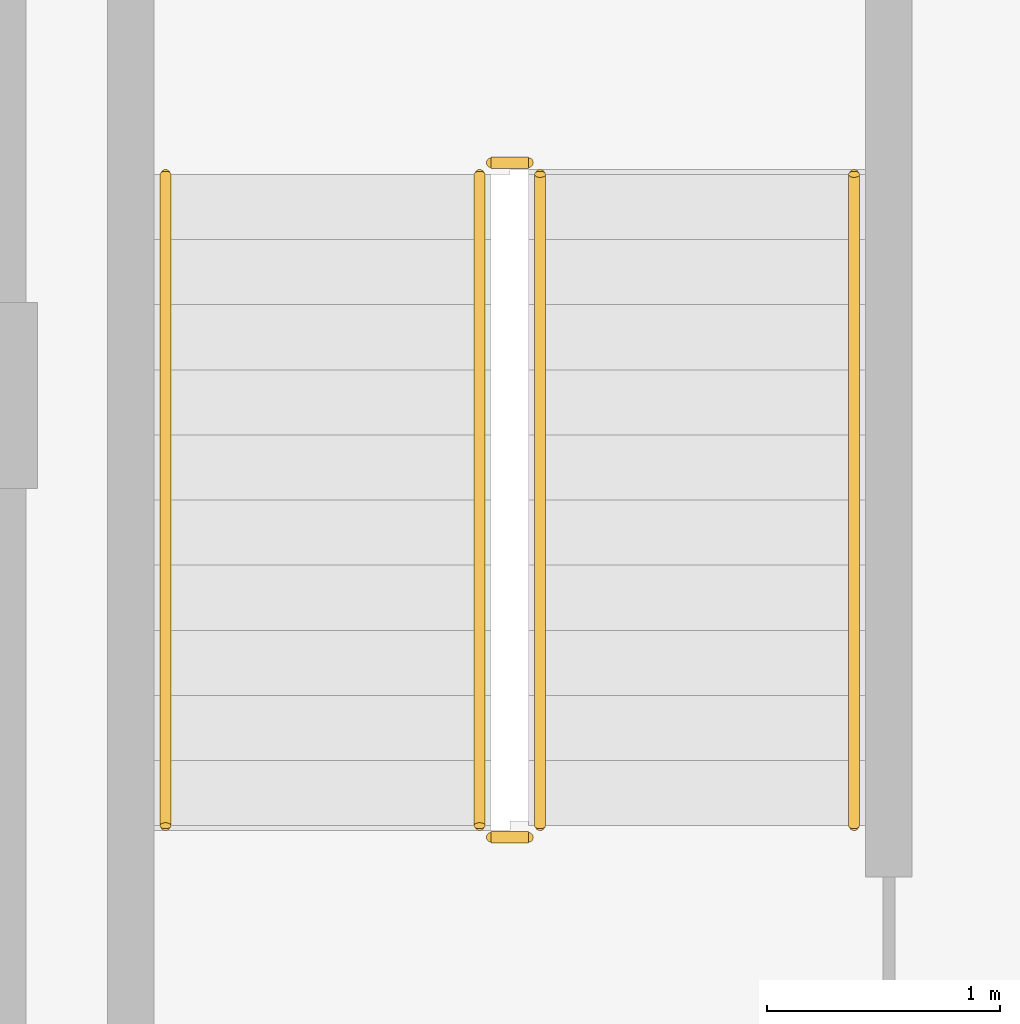
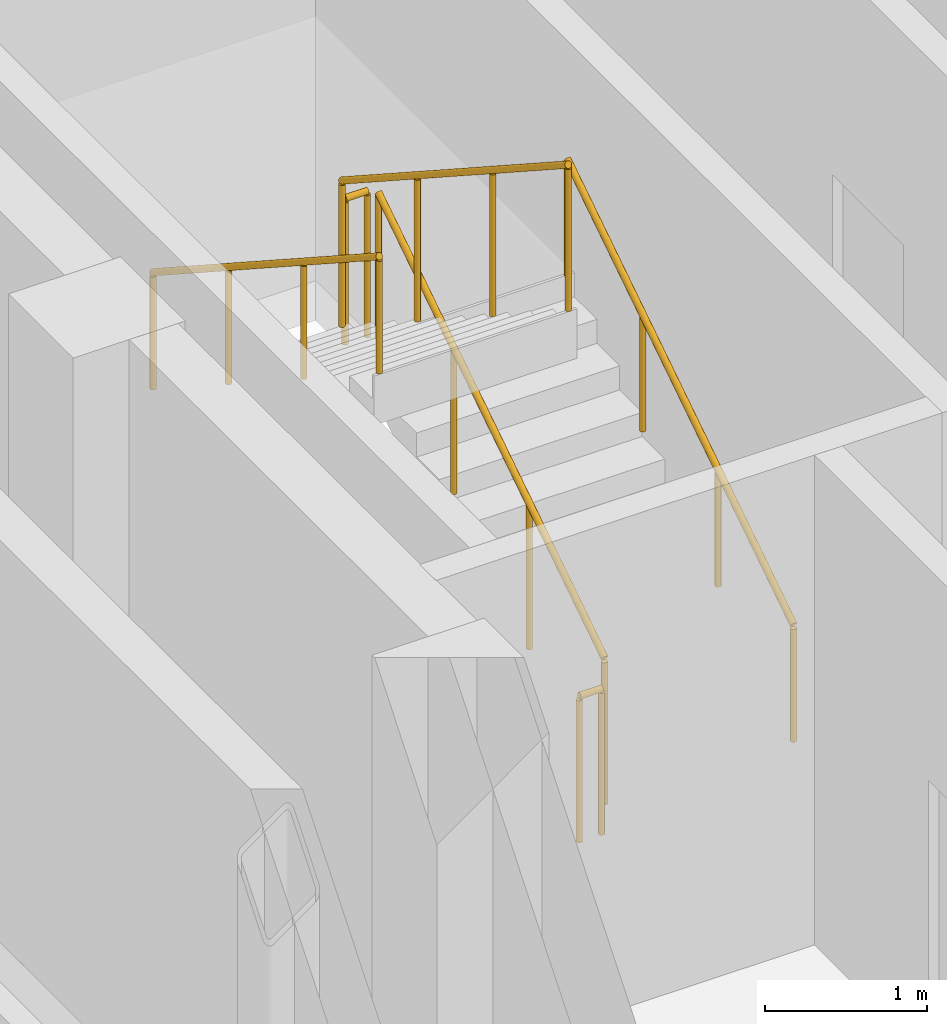
# One storey, part 8 of 10: 6 railings.
"""IFC4 building model written with IfcOpenShell, lengths in metres."""

from ifc_helpers import new_model, si_unit, direction, frame, origin, origin_2d, place, context, subcontext, project, spatial, circle, extrude, material, type_object, element, save


model = new_model("IFC4")

# Units and contexts
model_context = context("Model", 3, precision=1e-05, world=origin(), true_north=direction((0.0, 1.0)))
body_context = subcontext(model_context, "Body", "Model", "MODEL_VIEW")
ifc_project = project(units=[si_unit("LENGTHUNIT", "METRE"), si_unit("AREAUNIT", "SQUARE_METRE"), si_unit("VOLUMEUNIT", "CUBIC_METRE"), si_unit("PLANEANGLEUNIT", "RADIAN"), si_unit("MASSUNIT", "GRAM", prefix="KILO")], contexts=[model_context])

# Site, building, storey
site_placement = place(None, origin())
site = spatial("IfcSite", under=ifc_project, at=site_placement, CompositionType="ELEMENT")
building_placement = place(site_placement, origin())
building = spatial("IfcBuilding", under=site, at=building_placement, Name="Nuvemarco Arch Tower", CompositionType="ELEMENT")
storey_placement = place(building_placement, frame((0.0, 0.0, 291.14990234375)))
storey = spatial("IfcBuildingStorey", under=building, at=storey_placement, Name="L77", CompositionType="ELEMENT", Elevation=291.14990234375)

# Railings
ifc_material_1 = material(Name="Brushed stainless steel handrail", Category="steel")
railing_type_1 = type_object("IfcRailingType", Name="RL-HANDRAIL-900", PredefinedType="HANDRAIL", material=ifc_material_1)
railing_1_placement = place(storey_placement, frame((-13.590087890625, 2.64990234375, 0.181884765625)))
element("IfcRailing", 1, at=railing_1_placement, inside=storey, type_object=railing_type_1, Name="L77 ST-1 stair handrail 1", PredefinedType="HANDRAIL", context=body_context, shape_type="SweptSolid", body=[
    extrude(circle(Radius=0.02392578125, at=origin_2d()), frame((0.0, 0.0, 0.8759765625), z_axis=(0.0, 0.838705829183, 0.544584733623), x_axis=(-1.0, 0.0, 0.0)), (0.0, 0.0, 1.0), 3.338623046875),
    extrude(circle(Radius=0.02099609375, at=origin_2d()), origin(), (0.0, 0.0, 1.0), 0.851806640625),
    extrude(circle(Radius=0.02099609375, at=origin_2d()), frame((0.0, 0.933349609375, 0.60595703125)), (0.0, 0.0, 1.0), 0.851806640625),
    extrude(circle(Radius=0.02099609375, at=origin_2d()), frame((0.0, 1.86669921875, 1.212158203125)), (0.0, 0.0, 1.0), 0.851806640625),
    extrude(circle(Radius=0.02099609375, at=origin_2d()), frame((0.0, 2.800048828125, 1.818115234375)), (0.0, 0.0, 1.0), 0.851806640625),
])
railing_2_placement = place(storey_placement, frame((-16.550048828125, 5.449951171875, 2.181884765625)))
element("IfcRailing", 2, at=railing_2_placement, inside=storey, type_object=railing_type_1, Name="L77 ST-1 stair handrail 2", PredefinedType="HANDRAIL", context=body_context, shape_type="SweptSolid", body=[
    extrude(circle(Radius=0.02392578125, at=origin_2d()), frame((0.0, 0.0, 0.8759765625), z_axis=(0.0, -0.838705829183, 0.544584733623), x_axis=(1.0, 0.0, 0.0)), (0.0, 0.0, 1.0), 3.338623046875),
    extrude(circle(Radius=0.02099609375, at=origin_2d()), origin(), (0.0, 0.0, 1.0), 0.851806640625),
    extrude(circle(Radius=0.02099609375, at=origin_2d()), frame((0.0, -0.933349609375, 0.60595703125)), (0.0, 0.0, 1.0), 0.851806640625),
    extrude(circle(Radius=0.02099609375, at=origin_2d()), frame((0.0, -1.86669921875, 1.212158203125)), (0.0, 0.0, 1.0), 0.851806640625),
    extrude(circle(Radius=0.02099609375, at=origin_2d()), frame((0.0, -2.800048828125, 1.818115234375)), (0.0, 0.0, 1.0), 0.851806640625),
])
ifc_material_2 = material(Name="Painted balustrade steel S355", Category="steel")
railing_type_2 = type_object("IfcRailingType", Name="RL-STAIR-GUARD", PredefinedType="GUARDRAIL", material=ifc_material_2)
railing_3_placement = place(storey_placement, frame((-14.93994140625, 2.64990234375, 0.181884765625)))
element("IfcRailing", 3, at=railing_3_placement, inside=storey, type_object=railing_type_2, Name="L77 ST-1 stair guard 1", PredefinedType="GUARDRAIL", context=body_context, shape_type="SweptSolid", body=[
    extrude(circle(Radius=0.02392578125, at=origin_2d()), frame((0.0, 0.0, 1.09619140625), z_axis=(0.0, 0.838705829183, 0.544584733623), x_axis=(-1.0, 0.0, 0.0)), (0.0, 0.0, 1.0), 3.338623046875),
    extrude(circle(Radius=0.02099609375, at=origin_2d()), origin(), (0.0, 0.0, 1.0), 1.072021484375),
    extrude(circle(Radius=0.02099609375, at=origin_2d()), frame((0.0, 0.933349609375, 0.60595703125)), (0.0, 0.0, 1.0), 1.072021484375),
    extrude(circle(Radius=0.02099609375, at=origin_2d()), frame((0.0, 1.86669921875, 1.212158203125)), (0.0, 0.0, 1.0), 1.072021484375),
    extrude(circle(Radius=0.02099609375, at=origin_2d()), frame((0.0, 2.800048828125, 1.818115234375)), (0.0, 0.0, 1.0), 1.072021484375),
])
railing_4_placement = place(storey_placement, frame((-14.989990234375, 5.5, 2.0)))
element("IfcRailing", 4, at=railing_4_placement, inside=storey, type_object=railing_type_2, Name="L77 ST-1 stair guard 2", PredefinedType="GUARDRAIL", context=body_context, shape_type="SweptSolid", body=[
    extrude(circle(Radius=0.02392578125, at=origin_2d()), frame((0.0, 0.0, 1.09619140625), z_axis=(-1.0, 0.0, 0.0), x_axis=(0.0, -1.0, 0.0)), (0.0, 0.0, 1.0), 0.159912109375),
    extrude(circle(Radius=0.02099609375, at=origin_2d()), origin(), (0.0, 0.0, 1.0), 1.072021484375),
    extrude(circle(Radius=0.02099609375, at=origin_2d()), frame((-0.159912109375, 0.0, 0.0)), (0.0, 0.0, 1.0), 1.072021484375),
])
railing_5_placement = place(storey_placement, frame((-15.199951171875, 5.449951171875, 2.181884765625)))
element("IfcRailing", 5, at=railing_5_placement, inside=storey, type_object=railing_type_2, Name="L77 ST-1 stair guard 3", PredefinedType="GUARDRAIL", context=body_context, shape_type="SweptSolid", body=[
    extrude(circle(Radius=0.02392578125, at=origin_2d()), frame((0.0, 0.0, 1.09619140625), z_axis=(0.0, -0.838705829183, 0.544584733623), x_axis=(1.0, 0.0, 0.0)), (0.0, 0.0, 1.0), 3.338623046875),
    extrude(circle(Radius=0.02099609375, at=origin_2d()), origin(), (0.0, 0.0, 1.0), 1.072021484375),
    extrude(circle(Radius=0.02099609375, at=origin_2d()), frame((0.0, -0.933349609375, 0.60595703125)), (0.0, 0.0, 1.0), 1.072021484375),
    extrude(circle(Radius=0.02099609375, at=origin_2d()), frame((0.0, -1.86669921875, 1.212158203125)), (0.0, 0.0, 1.0), 1.072021484375),
    extrude(circle(Radius=0.02099609375, at=origin_2d()), frame((0.0, -2.800048828125, 1.818115234375)), (0.0, 0.0, 1.0), 1.072021484375),
])
railing_6_placement = place(storey_placement, frame((-14.989990234375, 2.60009765625, 0.0)))
element("IfcRailing", 6, at=railing_6_placement, inside=storey, type_object=railing_type_2, Name="L77 ST-1 stair guard 4", PredefinedType="GUARDRAIL", context=body_context, shape_type="SweptSolid", body=[
    extrude(circle(Radius=0.02392578125, at=origin_2d()), frame((0.0, 0.0, 1.09619140625), z_axis=(-1.0, 0.0, 0.0), x_axis=(0.0, -1.0, 0.0)), (0.0, 0.0, 1.0), 0.159912109375),
    extrude(circle(Radius=0.02099609375, at=origin_2d()), origin(), (0.0, 0.0, 1.0), 1.072021484375),
    extrude(circle(Radius=0.02099609375, at=origin_2d()), frame((-0.159912109375, 0.0, 0.0)), (0.0, 0.0, 1.0), 1.072021484375),
])

save(model, "model.ifc")
